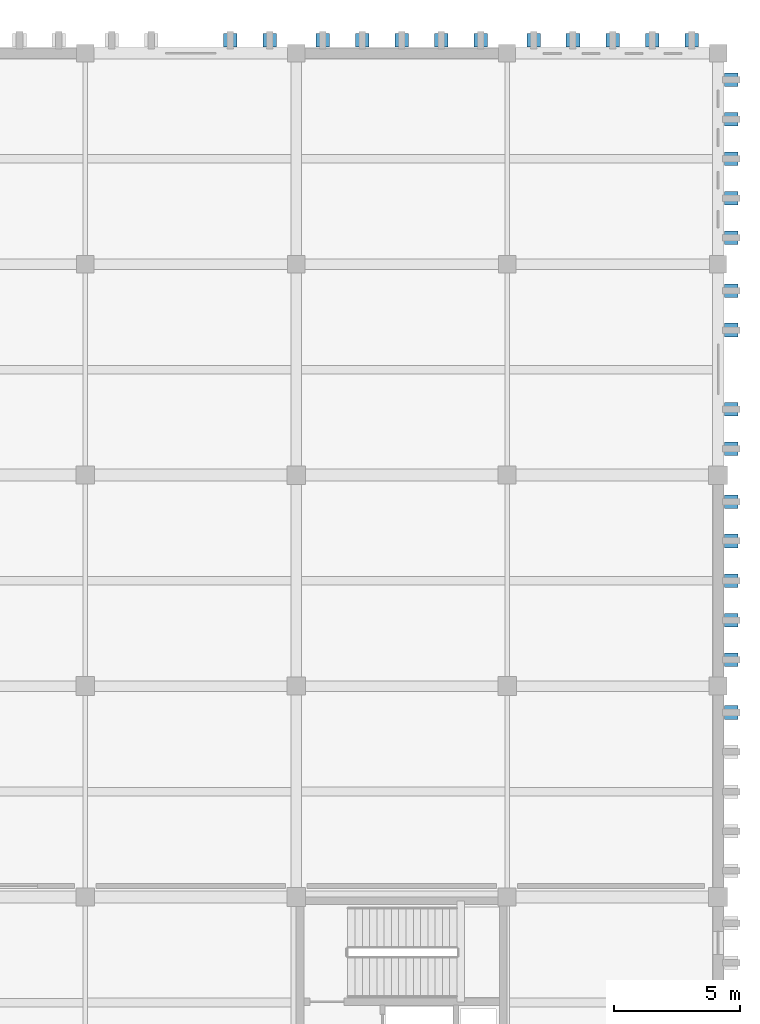
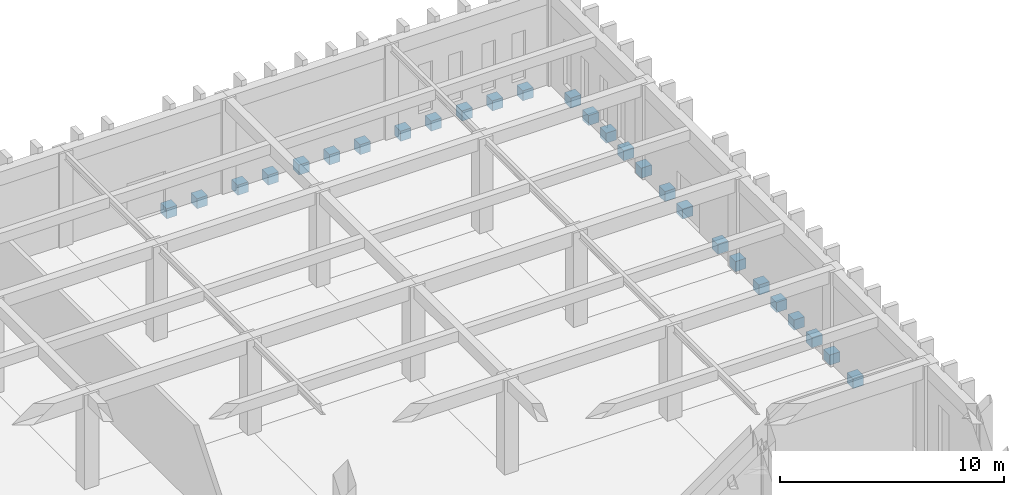
# One storey, part 7 of 143: 27 footings.
"""IFC4 building model written with IfcOpenShell, lengths in metres."""

import ifcopenshell
import ifcopenshell.guid

model = None  # the IFC model being written
_history = None  # IfcOwnerHistory: only IFC2X3 demands one
_inside = {}  # id of a spatial element -> (the spatial element, [elements in it])
_under = {}  # id of a project, library or spatial element -> (it, [spatial elements below it])
_declared = {}  # id of a project -> (the project, [libraries it declares])
_typed = {}  # id of a type object -> (the type object, [elements of that type])
_made_of = {}  # id of a material, layer set ... -> (it, [elements and type objects made of it])


def new_model(schema):
    """Start an empty IFC model of exactly this schema.

    Asked for "IFC4X3", IfcOpenShell would pick the latest addendum, in which some entities
    have other attributes; the version numbers below select the first issue.
    IFC2X3 requires an IfcOwnerHistory on every rooted entity: one is made here for all.
    """
    global model, _history
    if schema == "IFC4X3":
        model = ifcopenshell.file(schema_version=(4, 3, 0, 0))
    else:
        model = ifcopenshell.file(schema=schema)
    _inside.clear()
    _under.clear()
    _declared.clear()
    _typed.clear()
    _made_of.clear()
    _history = None
    if model.schema == "IFC2X3":
        org = make("IfcOrganization", Name="unknown")
        user = make(
            "IfcPersonAndOrganization",
            ThePerson=make("IfcPerson", FamilyName="unknown"),
            TheOrganization=org,
        )
        app = make(
            "IfcApplication",
            ApplicationDeveloper=org,
            Version="unknown",
            ApplicationFullName="unknown",
            ApplicationIdentifier="unknown",
        )
        _history = make(
            "IfcOwnerHistory",
            OwningUser=user,
            OwningApplication=app,
            ChangeAction="ADDED",
            CreationDate=0,
        )
    return model


def make(cls, **values):
    """One entity of the class cls with the attributes given. An attribute that is None is left unset."""
    return model.create_entity(
        cls, **{name: value for name, value in values.items() if value is not None}
    )


def rooted(cls, **values):
    """An entity with a GlobalId (a new one), such as an element, a storey or a relation."""
    return make(cls, GlobalId=ifcopenshell.guid.new(), OwnerHistory=_history, **values)


def si_unit(unit_type, name, prefix=None):
    """IfcSIUnit, for example si_unit("LENGTHUNIT", "METRE", prefix="MILLI")."""
    return make("IfcSIUnit", UnitType=unit_type, Prefix=prefix, Name=name)


def assignment(units):
    """IfcUnitAssignment: the units of a project."""
    return None if units is None else make("IfcUnitAssignment", Units=units)


def point(xyz):
    """IfcCartesianPoint."""
    return None if xyz is None else make("IfcCartesianPoint", Coordinates=xyz)


def direction(xyz):
    """IfcDirection."""
    return None if xyz is None else make("IfcDirection", DirectionRatios=xyz)


def frame(location, z_axis=None, x_axis=None):
    """IfcAxis2Placement3D, a coordinate frame: its origin and axes. An axis left out is left unset."""
    return make(
        "IfcAxis2Placement3D",
        Location=point(location),
        Axis=direction(z_axis),
        RefDirection=direction(x_axis),
    )


def origin():
    """The frame at (0, 0, 0) with its axes left unset."""
    return frame((0.0, 0.0, 0.0))


def place(relative_to, where):
    """IfcLocalPlacement: puts the frame where relative to a parent placement (None: the world)."""
    return make(
        "IfcLocalPlacement", PlacementRelTo=relative_to, RelativePlacement=where
    )


def context(
    kind, dimensions, precision=None, world=None, true_north=None, identifier=None
):
    """IfcGeometricRepresentationContext, for example the 3D "Model" context."""
    return make(
        "IfcGeometricRepresentationContext",
        ContextIdentifier=identifier,
        ContextType=kind,
        CoordinateSpaceDimension=dimensions,
        Precision=precision,
        WorldCoordinateSystem=world,
        TrueNorth=true_north,
    )


def subcontext(parent, identifier, kind, view, scale=None):
    """IfcGeometricRepresentationSubContext, for example "Body" below "Model"."""
    return make(
        "IfcGeometricRepresentationSubContext",
        ContextIdentifier=identifier,
        ContextType=kind,
        ParentContext=parent,
        TargetScale=scale,
        TargetView=view,
    )


def project(units=None, contexts=None):
    """IfcProject with its units and contexts."""
    return rooted(
        "IfcProject",
        Name="project",
        RepresentationContexts=contexts,
        UnitsInContext=assignment(units),
    )


def spatial(cls, under=None, at=None, **own):
    """A site, building, storey or space (cls), placed at a placement, below another one or the project."""
    s = rooted(cls, ObjectPlacement=at, **own)
    if under is not None:
        _under.setdefault(under.id(), (under, []))[1].append(s)
    return s


def polyline(points):
    """IfcPolyline through the points."""
    return make("IfcPolyline", Points=[point(p) for p in points])


def outline(outer, holes=None, kind="AREA"):
    """IfcArbitraryClosedProfileDef: a profile drawn as a closed curve; with holes, ...WithVoids."""
    if holes is None:
        return make("IfcArbitraryClosedProfileDef", ProfileType=kind, OuterCurve=outer)
    return make(
        "IfcArbitraryProfileDefWithVoids",
        ProfileType=kind,
        OuterCurve=outer,
        InnerCurves=holes,
    )


def extrude(swept, where, along, depth):
    """IfcExtrudedAreaSolid: the profile swept, set in the frame where, extruded along a direction by depth."""
    return make(
        "IfcExtrudedAreaSolid",
        SweptArea=swept,
        Position=where,
        ExtrudedDirection=direction(along),
        Depth=depth,
    )


def shape(context_of_items, identifier, shape_type, items):
    """IfcShapeRepresentation: the items that make up one representation, for example the "Body"."""
    return make(
        "IfcShapeRepresentation",
        ContextOfItems=context_of_items,
        RepresentationIdentifier=identifier,
        RepresentationType=shape_type,
        Items=items,
    )


def material(Name=None, Category=None):
    """IfcMaterial."""
    return make("IfcMaterial", Name=Name, Category=Category)


def made_of(thing, what):
    """Note that an element or type object is made of a material, layer set ...; save() writes the relation."""
    if what is not None:
        _made_of.setdefault(what.id(), (what, []))[1].append(thing)
    return thing


def type_object(cls, material=None, **own):
    """A type object (cls), such as IfcWallType, which elements share."""
    return made_of(rooted(cls, **own), material)


def element(
    cls,
    number,
    at=None,
    inside=None,
    cuts=None,
    type_object=None,
    material=None,
    context=None,
    identifier="Body",
    shape_type=None,
    held_by="IfcProductDefinitionShape",
    body=None,
    shapes=None,
    **own,
):
    """One element of the class cls, such as IfcWall. Its Tag is "e" and its number.

    at: its placement. inside: the storey or other place that contains it. cuts: it is an
    opening in that element (IfcRelVoidsElement). A single representation is given by context,
    identifier, shape_type and body (its items); several are given by shapes. held_by: the class
    of the entity that holds the representations. save() writes the other relations.
    """
    e = rooted(cls, Tag="e%d" % number, ObjectPlacement=at, **own)
    if body is not None:
        shapes = [shape(context, identifier, shape_type, body)]
    if shapes is not None:
        e.Representation = make(held_by, Representations=shapes)
    if inside is not None:
        _inside.setdefault(inside.id(), (inside, []))[1].append(e)
    if cuts is not None:
        rooted(
            "IfcRelVoidsElement", RelatingBuildingElement=cuts, RelatedOpeningElement=e
        )
    if type_object is not None:
        _typed.setdefault(type_object.id(), (type_object, []))[1].append(e)
    return made_of(e, material)


def aggregate(whole, parts):
    """IfcRelAggregates: a whole, such as a stair, and the parts it consists of."""
    return rooted("IfcRelAggregates", RelatingObject=whole, RelatedObjects=parts)


def save(model, path):
    """Write the relations noted so far, then the file.

    IfcRelAggregates (storeys below a building ...), IfcRelContainedInSpatialStructure (elements
    in a storey), IfcRelDefinesByType, IfcRelAssociatesMaterial and IfcRelDeclares: one each for
    every whole, place, type object, material and project.
    """
    for whole, parts in _under.values():
        aggregate(whole, parts)
    for where, things in _inside.values():
        rooted(
            "IfcRelContainedInSpatialStructure",
            RelatedElements=things,
            RelatingStructure=where,
        )
    for kind, things in _typed.values():
        rooted("IfcRelDefinesByType", RelatedObjects=things, RelatingType=kind)
    for what, things in _made_of.values():
        rooted("IfcRelAssociatesMaterial", RelatedObjects=things, RelatingMaterial=what)
    for by, libraries in _declared.values():
        rooted("IfcRelDeclares", RelatingContext=by, RelatedDefinitions=libraries)
    model.write(path)


model = new_model("IFC4")

# Units and contexts
model_context = context("Model", 3, precision=1e-05, world=origin(), true_north=direction((0.0, 1.0)))
body_context = subcontext(model_context, "Body", "Model", "MODEL_VIEW")
ifc_project = project(units=[si_unit("LENGTHUNIT", "METRE"), si_unit("AREAUNIT", "SQUARE_METRE"), si_unit("VOLUMEUNIT", "CUBIC_METRE"), si_unit("PLANEANGLEUNIT", "RADIAN"), si_unit("MASSUNIT", "GRAM", prefix="KILO")], contexts=[model_context])

# Site, building, storey
site_placement = place(None, origin())
site = spatial("IfcSite", under=ifc_project, at=site_placement, CompositionType="ELEMENT")
building_placement = place(site_placement, origin())
building = spatial("IfcBuilding", under=site, at=building_placement, Name="Kveldsbrygga Polytechnic", CompositionType="ELEMENT")
storey_placement = place(building_placement, origin())
storey = spatial("IfcBuildingStorey", under=building, at=storey_placement, Name="L00", CompositionType="ELEMENT", Elevation=0.0)

# Footings
ifc_material = material(Name="Concrete C35/45", Category="concrete")
footing_type = type_object("IfcFootingType", Name="SF-PLINTH-850", PredefinedType="STRIP_FOOTING", material=ifc_material)
footing_1_placement = place(storey_placement, frame((0.0, 0.0, -0.800048828125)))
element("IfcFooting", 1, at=footing_1_placement, inside=storey, type_object=footing_type, Name="Buttress Plinth Footing FND-BUTT-L00-X-17-14-4", PredefinedType="STRIP_FOOTING", context=body_context, shape_type="SweptSolid", body=[
    extrude(outline(polyline([(148.31005859375, 117.844970703125), (148.85009765625, 117.844970703125), (148.85009765625, 118.385009765625), (148.31005859375, 118.385009765625), (148.31005859375, 117.844970703125)])), origin(), (0.0, 0.0, 1.0), 0.550048828125),
])
footing_2_placement = place(storey_placement, frame((0.0, 0.0, -0.800048828125)))
element("IfcFooting", 2, at=footing_2_placement, inside=storey, type_object=footing_type, Name="Buttress Plinth Footing FND-BUTT-L00-X-17-14-5", PredefinedType="STRIP_FOOTING", context=body_context, shape_type="SweptSolid", body=[
    extrude(outline(polyline([(149.8798828125, 117.844970703125), (150.419921875, 117.844970703125), (150.419921875, 118.385009765625), (149.8798828125, 118.385009765625), (149.8798828125, 117.844970703125)])), origin(), (0.0, 0.0, 1.0), 0.550048828125),
])
footing_3_placement = place(storey_placement, frame((0.0, 0.0, -0.800048828125)))
element("IfcFooting", 3, at=footing_3_placement, inside=storey, type_object=footing_type, Name="Buttress Plinth Footing FND-BUTT-L00-X-18-14-1", PredefinedType="STRIP_FOOTING", context=body_context, shape_type="SweptSolid", body=[
    extrude(outline(polyline([(151.97998046875, 117.844970703125), (152.52001953125, 117.844970703125), (152.52001953125, 118.385009765625), (151.97998046875, 118.385009765625), (151.97998046875, 117.844970703125)])), origin(), (0.0, 0.0, 1.0), 0.550048828125),
])
footing_4_placement = place(storey_placement, frame((0.0, 0.0, -0.800048828125)))
element("IfcFooting", 4, at=footing_4_placement, inside=storey, type_object=footing_type, Name="Buttress Plinth Footing FND-BUTT-L00-X-18-14-2", PredefinedType="STRIP_FOOTING", context=body_context, shape_type="SweptSolid", body=[
    extrude(outline(polyline([(153.550048828125, 117.844970703125), (154.090087890625, 117.844970703125), (154.090087890625, 118.385009765625), (153.550048828125, 118.385009765625), (153.550048828125, 117.844970703125)])), origin(), (0.0, 0.0, 1.0), 0.550048828125),
])
footing_5_placement = place(storey_placement, frame((0.0, 0.0, -0.800048828125)))
element("IfcFooting", 5, at=footing_5_placement, inside=storey, type_object=footing_type, Name="Buttress Plinth Footing FND-BUTT-L00-X-18-14-3", PredefinedType="STRIP_FOOTING", context=body_context, shape_type="SweptSolid", body=[
    extrude(outline(polyline([(155.1298828125, 117.844970703125), (155.669921875, 117.844970703125), (155.669921875, 118.385009765625), (155.1298828125, 118.385009765625), (155.1298828125, 117.844970703125)])), origin(), (0.0, 0.0, 1.0), 0.550048828125),
])
footing_6_placement = place(storey_placement, frame((0.0, 0.0, -0.800048828125)))
element("IfcFooting", 6, at=footing_6_placement, inside=storey, type_object=footing_type, Name="Buttress Plinth Footing FND-BUTT-L00-X-18-14-4", PredefinedType="STRIP_FOOTING", context=body_context, shape_type="SweptSolid", body=[
    extrude(outline(polyline([(156.7099609375, 117.844970703125), (157.25, 117.844970703125), (157.25, 118.385009765625), (156.7099609375, 118.385009765625), (156.7099609375, 117.844970703125)])), origin(), (0.0, 0.0, 1.0), 0.550048828125),
])
footing_7_placement = place(storey_placement, frame((0.0, 0.0, -0.800048828125)))
element("IfcFooting", 7, at=footing_7_placement, inside=storey, type_object=footing_type, Name="Buttress Plinth Footing FND-BUTT-L00-X-18-14-5", PredefinedType="STRIP_FOOTING", context=body_context, shape_type="SweptSolid", body=[
    extrude(outline(polyline([(158.280029296875, 117.844970703125), (158.820068359375, 117.844970703125), (158.820068359375, 118.385009765625), (158.280029296875, 118.385009765625), (158.280029296875, 117.844970703125)])), origin(), (0.0, 0.0, 1.0), 0.550048828125),
])
footing_8_placement = place(storey_placement, frame((0.0, 0.0, -0.800048828125)))
element("IfcFooting", 8, at=footing_8_placement, inside=storey, type_object=footing_type, Name="Buttress Plinth Footing FND-BUTT-L00-Y-20-10-5", PredefinedType="STRIP_FOOTING", context=body_context, shape_type="SweptSolid", body=[
    extrude(outline(polyline([(168.2451171875, 91.080078125), (168.784912109375, 91.080078125), (168.784912109375, 91.6201171875), (168.2451171875, 91.6201171875), (168.2451171875, 91.080078125)])), origin(), (0.0, 0.0, 1.0), 0.550048828125),
])
footing_9_placement = place(storey_placement, frame((0.0, 0.0, -0.800048828125)))
element("IfcFooting", 9, at=footing_9_placement, inside=storey, type_object=footing_type, Name="Buttress Plinth Footing FND-BUTT-L00-Y-20-11-1", PredefinedType="STRIP_FOOTING", context=body_context, shape_type="SweptSolid", body=[
    extrude(outline(polyline([(168.2451171875, 93.179931640625), (168.784912109375, 93.179931640625), (168.784912109375, 93.719970703125), (168.2451171875, 93.719970703125), (168.2451171875, 93.179931640625)])), origin(), (0.0, 0.0, 1.0), 0.550048828125),
])
footing_10_placement = place(storey_placement, frame((0.0, 0.0, -0.800048828125)))
element("IfcFooting", 10, at=footing_10_placement, inside=storey, type_object=footing_type, Name="Buttress Plinth Footing FND-BUTT-L00-Y-20-11-2", PredefinedType="STRIP_FOOTING", context=body_context, shape_type="SweptSolid", body=[
    extrude(outline(polyline([(168.2451171875, 94.75), (168.784912109375, 94.75), (168.784912109375, 95.2900390625), (168.2451171875, 95.2900390625), (168.2451171875, 94.75)])), origin(), (0.0, 0.0, 1.0), 0.550048828125),
])
footing_11_placement = place(storey_placement, frame((0.0, 0.0, -0.800048828125)))
element("IfcFooting", 11, at=footing_11_placement, inside=storey, type_object=footing_type, Name="Buttress Plinth Footing FND-BUTT-L00-Y-20-11-3", PredefinedType="STRIP_FOOTING", context=body_context, shape_type="SweptSolid", body=[
    extrude(outline(polyline([(168.2451171875, 96.330078125), (168.784912109375, 96.330078125), (168.784912109375, 96.8701171875), (168.2451171875, 96.8701171875), (168.2451171875, 96.330078125)])), origin(), (0.0, 0.0, 1.0), 0.550048828125),
])
footing_12_placement = place(storey_placement, frame((0.0, 0.0, -0.800048828125)))
element("IfcFooting", 12, at=footing_12_placement, inside=storey, type_object=footing_type, Name="Buttress Plinth Footing FND-BUTT-L00-Y-20-11-4", PredefinedType="STRIP_FOOTING", context=body_context, shape_type="SweptSolid", body=[
    extrude(outline(polyline([(168.2451171875, 97.909912109375), (168.784912109375, 97.909912109375), (168.784912109375, 98.449951171875), (168.2451171875, 98.449951171875), (168.2451171875, 97.909912109375)])), origin(), (0.0, 0.0, 1.0), 0.550048828125),
])
footing_13_placement = place(storey_placement, frame((0.0, 0.0, -0.800048828125)))
element("IfcFooting", 13, at=footing_13_placement, inside=storey, type_object=footing_type, Name="Buttress Plinth Footing FND-BUTT-L00-Y-20-11-5", PredefinedType="STRIP_FOOTING", context=body_context, shape_type="SweptSolid", body=[
    extrude(outline(polyline([(168.2451171875, 99.47998046875), (168.784912109375, 99.47998046875), (168.784912109375, 100.02001953125), (168.2451171875, 100.02001953125), (168.2451171875, 99.47998046875)])), origin(), (0.0, 0.0, 1.0), 0.550048828125),
])
footing_14_placement = place(storey_placement, frame((0.0, 0.0, -0.800048828125)))
element("IfcFooting", 14, at=footing_14_placement, inside=storey, type_object=footing_type, Name="Buttress Plinth Footing FND-BUTT-L00-Y-20-12-1", PredefinedType="STRIP_FOOTING", context=body_context, shape_type="SweptSolid", body=[
    extrude(outline(polyline([(168.2451171875, 101.580078125), (168.784912109375, 101.580078125), (168.784912109375, 102.1201171875), (168.2451171875, 102.1201171875), (168.2451171875, 101.580078125)])), origin(), (0.0, 0.0, 1.0), 0.550048828125),
])
footing_15_placement = place(storey_placement, frame((0.0, 0.0, -0.800048828125)))
element("IfcFooting", 15, at=footing_15_placement, inside=storey, type_object=footing_type, Name="Buttress Plinth Footing FND-BUTT-L00-Y-20-12-2", PredefinedType="STRIP_FOOTING", context=body_context, shape_type="SweptSolid", body=[
    extrude(outline(polyline([(168.2451171875, 103.14990234375), (168.784912109375, 103.14990234375), (168.784912109375, 103.68994140625), (168.2451171875, 103.68994140625), (168.2451171875, 103.14990234375)])), origin(), (0.0, 0.0, 1.0), 0.550048828125),
])
footing_16_placement = place(storey_placement, frame((0.0, 0.0, -0.800048828125)))
element("IfcFooting", 16, at=footing_16_placement, inside=storey, type_object=footing_type, Name="Buttress Plinth Footing FND-BUTT-L00-Y-20-12-4", PredefinedType="STRIP_FOOTING", context=body_context, shape_type="SweptSolid", body=[
    extrude(outline(polyline([(168.2451171875, 106.31005859375), (168.784912109375, 106.31005859375), (168.784912109375, 106.85009765625), (168.2451171875, 106.85009765625), (168.2451171875, 106.31005859375)])), origin(), (0.0, 0.0, 1.0), 0.550048828125),
])
footing_17_placement = place(storey_placement, frame((0.0, 0.0, -0.800048828125)))
element("IfcFooting", 17, at=footing_17_placement, inside=storey, type_object=footing_type, Name="Buttress Plinth Footing FND-BUTT-L00-Y-20-12-5", PredefinedType="STRIP_FOOTING", context=body_context, shape_type="SweptSolid", body=[
    extrude(outline(polyline([(168.2451171875, 107.8798828125), (168.784912109375, 107.8798828125), (168.784912109375, 108.419921875), (168.2451171875, 108.419921875), (168.2451171875, 107.8798828125)])), origin(), (0.0, 0.0, 1.0), 0.550048828125),
])
footing_18_placement = place(storey_placement, frame((0.0, 0.0, -0.800048828125)))
element("IfcFooting", 18, at=footing_18_placement, inside=storey, type_object=footing_type, Name="Buttress Plinth Footing FND-BUTT-L00-X-19-14-1", PredefinedType="STRIP_FOOTING", context=body_context, shape_type="SweptSolid", body=[
    extrude(outline(polyline([(160.3798828125, 117.844970703125), (160.919921875, 117.844970703125), (160.919921875, 118.385009765625), (160.3798828125, 118.385009765625), (160.3798828125, 117.844970703125)])), origin(), (0.0, 0.0, 1.0), 0.550048828125),
])
footing_19_placement = place(storey_placement, frame((0.0, 0.0, -0.800048828125)))
element("IfcFooting", 19, at=footing_19_placement, inside=storey, type_object=footing_type, Name="Buttress Plinth Footing FND-BUTT-L00-X-19-14-2", PredefinedType="STRIP_FOOTING", context=body_context, shape_type="SweptSolid", body=[
    extrude(outline(polyline([(161.949951171875, 117.844970703125), (162.489990234375, 117.844970703125), (162.489990234375, 118.385009765625), (161.949951171875, 118.385009765625), (161.949951171875, 117.844970703125)])), origin(), (0.0, 0.0, 1.0), 0.550048828125),
])
footing_20_placement = place(storey_placement, frame((0.0, 0.0, -0.800048828125)))
element("IfcFooting", 20, at=footing_20_placement, inside=storey, type_object=footing_type, Name="Buttress Plinth Footing FND-BUTT-L00-X-19-14-3", PredefinedType="STRIP_FOOTING", context=body_context, shape_type="SweptSolid", body=[
    extrude(outline(polyline([(163.530029296875, 117.844970703125), (164.070068359375, 117.844970703125), (164.070068359375, 118.385009765625), (163.530029296875, 118.385009765625), (163.530029296875, 117.844970703125)])), origin(), (0.0, 0.0, 1.0), 0.550048828125),
])
footing_21_placement = place(storey_placement, frame((0.0, 0.0, -0.800048828125)))
element("IfcFooting", 21, at=footing_21_placement, inside=storey, type_object=footing_type, Name="Buttress Plinth Footing FND-BUTT-L00-X-19-14-4", PredefinedType="STRIP_FOOTING", context=body_context, shape_type="SweptSolid", body=[
    extrude(outline(polyline([(165.110107421875, 117.844970703125), (165.64990234375, 117.844970703125), (165.64990234375, 118.385009765625), (165.110107421875, 118.385009765625), (165.110107421875, 117.844970703125)])), origin(), (0.0, 0.0, 1.0), 0.550048828125),
])
footing_22_placement = place(storey_placement, frame((0.0, 0.0, -0.800048828125)))
element("IfcFooting", 22, at=footing_22_placement, inside=storey, type_object=footing_type, Name="Buttress Plinth Footing FND-BUTT-L00-X-19-14-5", PredefinedType="STRIP_FOOTING", context=body_context, shape_type="SweptSolid", body=[
    extrude(outline(polyline([(166.679931640625, 117.844970703125), (167.219970703125, 117.844970703125), (167.219970703125, 118.385009765625), (166.679931640625, 118.385009765625), (166.679931640625, 117.844970703125)])), origin(), (0.0, 0.0, 1.0), 0.550048828125),
])
footing_23_placement = place(storey_placement, frame((0.0, 0.0, -0.800048828125)))
element("IfcFooting", 23, at=footing_23_placement, inside=storey, type_object=footing_type, Name="Buttress Plinth Footing FND-BUTT-L00-Y-20-13-1", PredefinedType="STRIP_FOOTING", context=body_context, shape_type="SweptSolid", body=[
    extrude(outline(polyline([(168.2451171875, 109.97998046875), (168.784912109375, 109.97998046875), (168.784912109375, 110.52001953125), (168.2451171875, 110.52001953125), (168.2451171875, 109.97998046875)])), origin(), (0.0, 0.0, 1.0), 0.550048828125),
])
footing_24_placement = place(storey_placement, frame((0.0, 0.0, -0.800048828125)))
element("IfcFooting", 24, at=footing_24_placement, inside=storey, type_object=footing_type, Name="Buttress Plinth Footing FND-BUTT-L00-Y-20-13-2", PredefinedType="STRIP_FOOTING", context=body_context, shape_type="SweptSolid", body=[
    extrude(outline(polyline([(168.2451171875, 111.550048828125), (168.784912109375, 111.550048828125), (168.784912109375, 112.090087890625), (168.2451171875, 112.090087890625), (168.2451171875, 111.550048828125)])), origin(), (0.0, 0.0, 1.0), 0.550048828125),
])
footing_25_placement = place(storey_placement, frame((0.0, 0.0, -0.800048828125)))
element("IfcFooting", 25, at=footing_25_placement, inside=storey, type_object=footing_type, Name="Buttress Plinth Footing FND-BUTT-L00-Y-20-13-3", PredefinedType="STRIP_FOOTING", context=body_context, shape_type="SweptSolid", body=[
    extrude(outline(polyline([(168.2451171875, 113.1298828125), (168.784912109375, 113.1298828125), (168.784912109375, 113.669921875), (168.2451171875, 113.669921875), (168.2451171875, 113.1298828125)])), origin(), (0.0, 0.0, 1.0), 0.550048828125),
])
footing_26_placement = place(storey_placement, frame((0.0, 0.0, -0.800048828125)))
element("IfcFooting", 26, at=footing_26_placement, inside=storey, type_object=footing_type, Name="Buttress Plinth Footing FND-BUTT-L00-Y-20-13-4", PredefinedType="STRIP_FOOTING", context=body_context, shape_type="SweptSolid", body=[
    extrude(outline(polyline([(168.2451171875, 114.7099609375), (168.784912109375, 114.7099609375), (168.784912109375, 115.25), (168.2451171875, 115.25), (168.2451171875, 114.7099609375)])), origin(), (0.0, 0.0, 1.0), 0.550048828125),
])
footing_27_placement = place(storey_placement, frame((0.0, 0.0, -0.800048828125)))
element("IfcFooting", 27, at=footing_27_placement, inside=storey, type_object=footing_type, Name="Buttress Plinth Footing FND-BUTT-L00-Y-20-13-5", PredefinedType="STRIP_FOOTING", context=body_context, shape_type="SweptSolid", body=[
    extrude(outline(polyline([(168.2451171875, 116.280029296875), (168.784912109375, 116.280029296875), (168.784912109375, 116.820068359375), (168.2451171875, 116.820068359375), (168.2451171875, 116.280029296875)])), origin(), (0.0, 0.0, 1.0), 0.550048828125),
])

save(model, "model.ifc")
